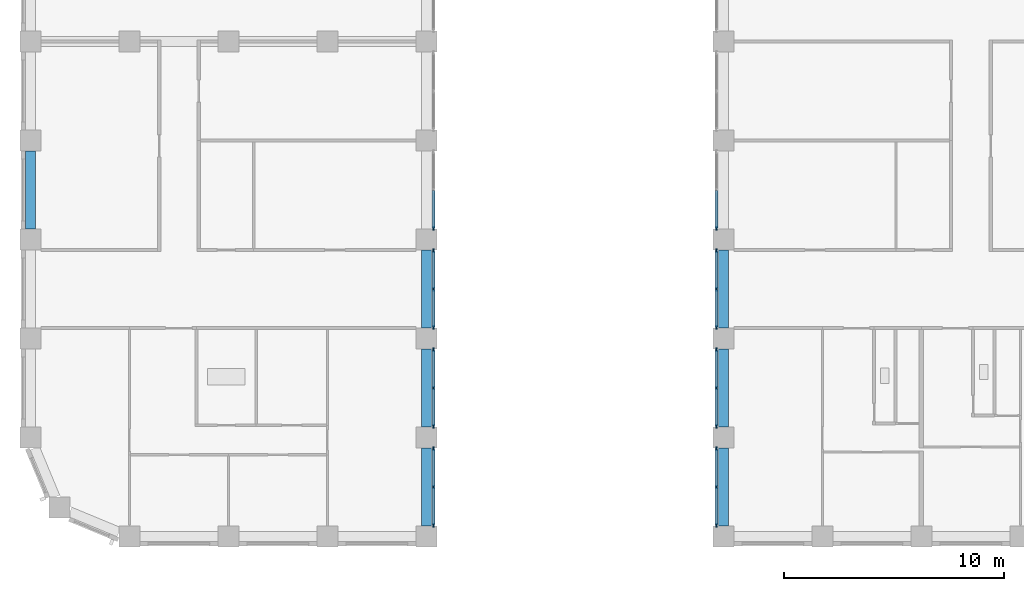
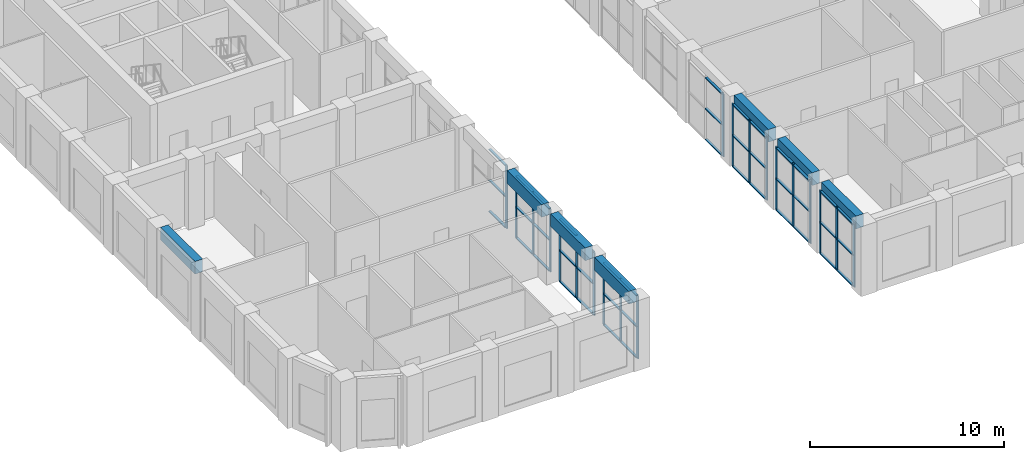
# One storey, part 2 of 19: 62 members, 7 beams, 8 elements without a shape of their own.
"""IFC4 building model written with IfcOpenShell, lengths in metres."""

from ifc_helpers import new_model, si_unit, direction, frame, origin, origin_2d, place, context, subcontext, project, spatial, rectangle, extrude, material, material_profile, profile_set, type_object, element, aggregate, save


model = new_model("IFC4")

# Units and contexts
model_context = context("Model", 3, precision=1e-05, world=origin(), true_north=direction((0.0, 1.0)))
body_context = subcontext(model_context, "Body", "Model", "MODEL_VIEW")
ifc_project = project(units=[si_unit("LENGTHUNIT", "METRE"), si_unit("AREAUNIT", "SQUARE_METRE"), si_unit("VOLUMEUNIT", "CUBIC_METRE"), si_unit("PLANEANGLEUNIT", "RADIAN"), si_unit("MASSUNIT", "GRAM", prefix="KILO")], contexts=[model_context])

# Site, building, storey
site_placement = place(None, origin())
site = spatial("IfcSite", under=ifc_project, at=site_placement, CompositionType="ELEMENT")
building_placement = place(site_placement, origin())
building = spatial("IfcBuilding", under=site, at=building_placement, Name="Girih Gate Residences", CompositionType="ELEMENT")
storey_placement = place(building_placement, frame((0.0, 0.0, 163.800048828125)))
storey = spatial("IfcBuildingStorey", under=building, at=storey_placement, Name="L45", CompositionType="ELEMENT", Elevation=163.800048828125)

# Curtain wall, members
ifc_material_1 = material(Name="Aluminium curtain wall frame", Category="aluminium")
curtain_wall_type = type_object("IfcCurtainWallType", Name="Curtain wall CW-7 portal lounge glazing", PredefinedType="NOTDEFINED", material=ifc_material_1)
curtain_wall_1_placement = place(storey_placement, origin())
curtain_wall_1 = element("IfcCurtainWall", 1, at=curtain_wall_1_placement, inside=storey, type_object=curtain_wall_type, Name="CW-7 Portal lounge glazing E0180_0000.0", PredefinedType="NOTDEFINED")
ifc_material_profile_1 = material_profile(ifc_material_1, rectangle(XDim=0.06005859375, YDim=0.179931640625, at=origin_2d()))
ifc_profile_set_1 = profile_set([ifc_material_profile_1], Name="Aluminium curtain wall frame")
member_type_1 = type_object("IfcMemberType", Name="Curtain wall mullion 60x180", PredefinedType="MULLION", material=ifc_profile_set_1)
member_1_placement = place(storey_placement, frame((18.31494140625, 0.5048828125, 0.0), z_axis=(0.0, 0.0, 1.0), x_axis=(-1.0, 0.0, 0.0)))
member_1 = element("IfcMember", 2, at=member_1_placement, type_object=member_type_1, Name="CW-7 mullion 1", PredefinedType="MULLION", context=body_context, shape_type="SweptSolid", body=[
    extrude(rectangle(XDim=0.06005859375, YDim=0.179931640625, at=origin_2d()), origin(), (0.0, 0.0, 1.0), 3.949951171875),
])
member_2_placement = place(storey_placement, frame((18.31494140625, 2.25, 0.0), z_axis=(0.0, 0.0, 1.0), x_axis=(-1.0, 0.0, 0.0)))
member_2 = element("IfcMember", 3, at=member_2_placement, type_object=member_type_1, Name="CW-7 mullion 2", PredefinedType="MULLION", context=body_context, shape_type="SweptSolid", body=[
    extrude(rectangle(XDim=0.06005859375, YDim=0.179931640625, at=origin_2d()), origin(), (0.0, 0.0, 1.0), 3.949951171875),
])
member_3_placement = place(storey_placement, frame((18.31494140625, 3.9951171875, 0.0), z_axis=(0.0, 0.0, 1.0), x_axis=(-1.0, 0.0, 0.0)))
member_3 = element("IfcMember", 4, at=member_3_placement, type_object=member_type_1, Name="CW-7 mullion 3", PredefinedType="MULLION", context=body_context, shape_type="SweptSolid", body=[
    extrude(rectangle(XDim=0.06005859375, YDim=0.179931640625, at=origin_2d()), origin(), (0.0, 0.0, 1.0), 3.949951171875),
])

curtain_wall_2_placement = place(storey_placement, origin())
curtain_wall_2 = element("IfcCurtainWall", 5, at=curtain_wall_2_placement, inside=storey, type_object=curtain_wall_type, Name="CW-7 Portal lounge glazing E0180_0000.1", PredefinedType="NOTDEFINED")
member_4_placement = place(storey_placement, frame((18.31494140625, 5.0048828125, 0.0), z_axis=(0.0, 0.0, 1.0), x_axis=(-1.0, 0.0, 0.0)))
member_4 = element("IfcMember", 6, at=member_4_placement, type_object=member_type_1, Name="CW-7 mullion 1", PredefinedType="MULLION", context=body_context, shape_type="SweptSolid", body=[
    extrude(rectangle(XDim=0.06005859375, YDim=0.179931640625, at=origin_2d()), origin(), (0.0, 0.0, 1.0), 3.949951171875),
])
member_5_placement = place(storey_placement, frame((18.31494140625, 6.75, 0.0), z_axis=(0.0, 0.0, 1.0), x_axis=(-1.0, 0.0, 0.0)))
member_5 = element("IfcMember", 7, at=member_5_placement, type_object=member_type_1, Name="CW-7 mullion 2", PredefinedType="MULLION", context=body_context, shape_type="SweptSolid", body=[
    extrude(rectangle(XDim=0.06005859375, YDim=0.179931640625, at=origin_2d()), origin(), (0.0, 0.0, 1.0), 3.949951171875),
])
member_6_placement = place(storey_placement, frame((18.31494140625, 8.4951171875, 0.0), z_axis=(0.0, 0.0, 1.0), x_axis=(-1.0, 0.0, 0.0)))
member_6 = element("IfcMember", 8, at=member_6_placement, type_object=member_type_1, Name="CW-7 mullion 3", PredefinedType="MULLION", context=body_context, shape_type="SweptSolid", body=[
    extrude(rectangle(XDim=0.06005859375, YDim=0.179931640625, at=origin_2d()), origin(), (0.0, 0.0, 1.0), 3.949951171875),
])

curtain_wall_3_placement = place(storey_placement, origin())
curtain_wall_3 = element("IfcCurtainWall", 9, at=curtain_wall_3_placement, inside=storey, type_object=curtain_wall_type, Name="CW-7 Portal lounge glazing E0180_0000.2", PredefinedType="NOTDEFINED")
member_7_placement = place(storey_placement, frame((18.31494140625, 9.5048828125, 0.0), z_axis=(0.0, 0.0, 1.0), x_axis=(-1.0, 0.0, 0.0)))
member_7 = element("IfcMember", 10, at=member_7_placement, type_object=member_type_1, Name="CW-7 mullion 1", PredefinedType="MULLION", context=body_context, shape_type="SweptSolid", body=[
    extrude(rectangle(XDim=0.06005859375, YDim=0.179931640625, at=origin_2d()), origin(), (0.0, 0.0, 1.0), 3.949951171875),
])
member_8_placement = place(storey_placement, frame((18.31494140625, 11.25, 0.0), z_axis=(0.0, 0.0, 1.0), x_axis=(-1.0, 0.0, 0.0)))
member_8 = element("IfcMember", 11, at=member_8_placement, type_object=member_type_1, Name="CW-7 mullion 2", PredefinedType="MULLION", context=body_context, shape_type="SweptSolid", body=[
    extrude(rectangle(XDim=0.06005859375, YDim=0.179931640625, at=origin_2d()), origin(), (0.0, 0.0, 1.0), 3.949951171875),
])
member_9_placement = place(storey_placement, frame((18.31494140625, 12.9951171875, 0.0), z_axis=(0.0, 0.0, 1.0), x_axis=(-1.0, 0.0, 0.0)))
member_9 = element("IfcMember", 12, at=member_9_placement, type_object=member_type_1, Name="CW-7 mullion 3", PredefinedType="MULLION", context=body_context, shape_type="SweptSolid", body=[
    extrude(rectangle(XDim=0.06005859375, YDim=0.179931640625, at=origin_2d()), origin(), (0.0, 0.0, 1.0), 3.949951171875),
])

# Curtain wall, member
curtain_wall_4_placement = place(storey_placement, origin())
curtain_wall_4 = element("IfcCurtainWall", 13, at=curtain_wall_4_placement, inside=storey, type_object=curtain_wall_type, Name="CW-7 Portal lounge glazing E0180_0000.3", PredefinedType="NOTDEFINED")
member_10_placement = place(storey_placement, frame((18.31494140625, 14.0048828125, 0.0), z_axis=(0.0, 0.0, 1.0), x_axis=(-1.0, 0.0, 0.0)))
member_10 = element("IfcMember", 14, at=member_10_placement, type_object=member_type_1, Name="CW-7 mullion 1", PredefinedType="MULLION", context=body_context, shape_type="SweptSolid", body=[
    extrude(rectangle(XDim=0.06005859375, YDim=0.179931640625, at=origin_2d()), origin(), (0.0, 0.0, 1.0), 3.949951171875),
])

curtain_wall_5_placement = place(storey_placement, origin())
curtain_wall_5 = element("IfcCurtainWall", 15, at=curtain_wall_5_placement, inside=storey, type_object=curtain_wall_type, Name="CW-7 Portal lounge glazing W0315_0495.7", PredefinedType="NOTDEFINED")
member_11_placement = place(storey_placement, frame((31.18505859375, 14.0048828125, 0.0), z_axis=(0.0, 0.0, 1.0), x_axis=(1.0, 0.0, 0.0)))
member_11 = element("IfcMember", 16, at=member_11_placement, type_object=member_type_1, Name="CW-7 mullion 3", PredefinedType="MULLION", context=body_context, shape_type="SweptSolid", body=[
    extrude(rectangle(XDim=0.06005859375, YDim=0.179931640625, at=origin_2d()), origin(), (0.0, 0.0, 1.0), 3.949951171875),
])

# Curtain wall, members
curtain_wall_6_placement = place(storey_placement, origin())
curtain_wall_6 = element("IfcCurtainWall", 17, at=curtain_wall_6_placement, inside=storey, type_object=curtain_wall_type, Name="CW-7 Portal lounge glazing W0315_0495.8", PredefinedType="NOTDEFINED")
member_12_placement = place(storey_placement, frame((31.18505859375, 12.9951171875, 0.0), z_axis=(0.0, 0.0, 1.0), x_axis=(1.0, 0.0, 0.0)))
member_12 = element("IfcMember", 18, at=member_12_placement, type_object=member_type_1, Name="CW-7 mullion 1", PredefinedType="MULLION", context=body_context, shape_type="SweptSolid", body=[
    extrude(rectangle(XDim=0.06005859375, YDim=0.179931640625, at=origin_2d()), origin(), (0.0, 0.0, 1.0), 3.949951171875),
])
member_13_placement = place(storey_placement, frame((31.18505859375, 11.25, 0.0), z_axis=(0.0, 0.0, 1.0), x_axis=(1.0, 0.0, 0.0)))
member_13 = element("IfcMember", 19, at=member_13_placement, type_object=member_type_1, Name="CW-7 mullion 2", PredefinedType="MULLION", context=body_context, shape_type="SweptSolid", body=[
    extrude(rectangle(XDim=0.06005859375, YDim=0.179931640625, at=origin_2d()), origin(), (0.0, 0.0, 1.0), 3.949951171875),
])
member_14_placement = place(storey_placement, frame((31.18505859375, 9.5048828125, 0.0), z_axis=(0.0, 0.0, 1.0), x_axis=(1.0, 0.0, 0.0)))
member_14 = element("IfcMember", 20, at=member_14_placement, type_object=member_type_1, Name="CW-7 mullion 3", PredefinedType="MULLION", context=body_context, shape_type="SweptSolid", body=[
    extrude(rectangle(XDim=0.06005859375, YDim=0.179931640625, at=origin_2d()), origin(), (0.0, 0.0, 1.0), 3.949951171875),
])

curtain_wall_7_placement = place(storey_placement, origin())
curtain_wall_7 = element("IfcCurtainWall", 21, at=curtain_wall_7_placement, inside=storey, type_object=curtain_wall_type, Name="CW-7 Portal lounge glazing W0315_0495.9", PredefinedType="NOTDEFINED")
member_15_placement = place(storey_placement, frame((31.18505859375, 8.4951171875, 0.0), z_axis=(0.0, 0.0, 1.0), x_axis=(1.0, 0.0, 0.0)))
member_15 = element("IfcMember", 22, at=member_15_placement, type_object=member_type_1, Name="CW-7 mullion 1", PredefinedType="MULLION", context=body_context, shape_type="SweptSolid", body=[
    extrude(rectangle(XDim=0.06005859375, YDim=0.179931640625, at=origin_2d()), origin(), (0.0, 0.0, 1.0), 3.949951171875),
])
member_16_placement = place(storey_placement, frame((31.18505859375, 6.75, 0.0), z_axis=(0.0, 0.0, 1.0), x_axis=(1.0, 0.0, 0.0)))
member_16 = element("IfcMember", 23, at=member_16_placement, type_object=member_type_1, Name="CW-7 mullion 2", PredefinedType="MULLION", context=body_context, shape_type="SweptSolid", body=[
    extrude(rectangle(XDim=0.06005859375, YDim=0.179931640625, at=origin_2d()), origin(), (0.0, 0.0, 1.0), 3.949951171875),
])
member_17_placement = place(storey_placement, frame((31.18505859375, 5.0048828125, 0.0), z_axis=(0.0, 0.0, 1.0), x_axis=(1.0, 0.0, 0.0)))
member_17 = element("IfcMember", 24, at=member_17_placement, type_object=member_type_1, Name="CW-7 mullion 3", PredefinedType="MULLION", context=body_context, shape_type="SweptSolid", body=[
    extrude(rectangle(XDim=0.06005859375, YDim=0.179931640625, at=origin_2d()), origin(), (0.0, 0.0, 1.0), 3.949951171875),
])

curtain_wall_8_placement = place(storey_placement, origin())
curtain_wall_8 = element("IfcCurtainWall", 25, at=curtain_wall_8_placement, inside=storey, type_object=curtain_wall_type, Name="CW-7 Portal lounge glazing W0315_0495.10", PredefinedType="NOTDEFINED")
member_18_placement = place(storey_placement, frame((31.18505859375, 3.9951171875, 0.0), z_axis=(0.0, 0.0, 1.0), x_axis=(1.0, 0.0, 0.0)))
member_18 = element("IfcMember", 26, at=member_18_placement, type_object=member_type_1, Name="CW-7 mullion 1", PredefinedType="MULLION", context=body_context, shape_type="SweptSolid", body=[
    extrude(rectangle(XDim=0.06005859375, YDim=0.179931640625, at=origin_2d()), origin(), (0.0, 0.0, 1.0), 3.949951171875),
])
member_19_placement = place(storey_placement, frame((31.18505859375, 2.25, 0.0), z_axis=(0.0, 0.0, 1.0), x_axis=(1.0, 0.0, 0.0)))
member_19 = element("IfcMember", 27, at=member_19_placement, type_object=member_type_1, Name="CW-7 mullion 2", PredefinedType="MULLION", context=body_context, shape_type="SweptSolid", body=[
    extrude(rectangle(XDim=0.06005859375, YDim=0.179931640625, at=origin_2d()), origin(), (0.0, 0.0, 1.0), 3.949951171875),
])
member_20_placement = place(storey_placement, frame((31.18505859375, 0.5048828125, 0.0), z_axis=(0.0, 0.0, 1.0), x_axis=(1.0, 0.0, 0.0)))
member_20 = element("IfcMember", 28, at=member_20_placement, type_object=member_type_1, Name="CW-7 mullion 3", PredefinedType="MULLION", context=body_context, shape_type="SweptSolid", body=[
    extrude(rectangle(XDim=0.06005859375, YDim=0.179931640625, at=origin_2d()), origin(), (0.0, 0.0, 1.0), 3.949951171875),
])

# Member
ifc_material_profile_2 = material_profile(ifc_material_1, rectangle(XDim=0.139892578125, YDim=0.06005859375, at=origin_2d()))
ifc_profile_set_2 = profile_set([ifc_material_profile_2], Name="Aluminium curtain wall frame")
member_type_2 = type_object("IfcMemberType", Name="Curtain wall transom 60x140", PredefinedType="USERDEFINED", material=ifc_profile_set_2)
member_21_placement = place(storey_placement, frame((18.31494140625, 0.534912109375, 0.030029296875), z_axis=(0.0, 1.0, 0.0), x_axis=(-1.0, 0.0, 0.0)))
member_21 = element("IfcMember", 29, at=member_21_placement, type_object=member_type_2, Name="CW-7 transom 1.1", ObjectType="TRANSOM", PredefinedType="USERDEFINED", context=body_context, shape_type="SweptSolid", body=[
    extrude(rectangle(XDim=0.139892578125, YDim=0.06005859375, at=origin_2d()), origin(), (0.0, 0.0, 1.0), 1.68505859375),
])

member_22_placement = place(storey_placement, frame((18.31494140625, 0.534912109375, 1.974853515625), z_axis=(0.0, 1.0, 0.0), x_axis=(-1.0, 0.0, 0.0)))
member_22 = element("IfcMember", 30, at=member_22_placement, type_object=member_type_2, Name="CW-7 transom 1.2", ObjectType="TRANSOM", PredefinedType="USERDEFINED", context=body_context, shape_type="SweptSolid", body=[
    extrude(rectangle(XDim=0.139892578125, YDim=0.06005859375, at=origin_2d()), origin(), (0.0, 0.0, 1.0), 1.68505859375),
])

member_23_placement = place(storey_placement, frame((18.31494140625, 0.534912109375, 3.919921875), z_axis=(0.0, 1.0, 0.0), x_axis=(-1.0, 0.0, 0.0)))
member_23 = element("IfcMember", 31, at=member_23_placement, type_object=member_type_2, Name="CW-7 transom 1.3", ObjectType="TRANSOM", PredefinedType="USERDEFINED", context=body_context, shape_type="SweptSolid", body=[
    extrude(rectangle(XDim=0.139892578125, YDim=0.06005859375, at=origin_2d()), origin(), (0.0, 0.0, 1.0), 1.68505859375),
])

member_24_placement = place(storey_placement, frame((18.31494140625, 2.280029296875, 0.030029296875), z_axis=(0.0, 1.0, 0.0), x_axis=(-1.0, 0.0, 0.0)))
member_24 = element("IfcMember", 32, at=member_24_placement, type_object=member_type_2, Name="CW-7 transom 2.1", ObjectType="TRANSOM", PredefinedType="USERDEFINED", context=body_context, shape_type="SweptSolid", body=[
    extrude(rectangle(XDim=0.139892578125, YDim=0.06005859375, at=origin_2d()), origin(), (0.0, 0.0, 1.0), 1.68505859375),
])

member_25_placement = place(storey_placement, frame((18.31494140625, 2.280029296875, 1.974853515625), z_axis=(0.0, 1.0, 0.0), x_axis=(-1.0, 0.0, 0.0)))
member_25 = element("IfcMember", 33, at=member_25_placement, type_object=member_type_2, Name="CW-7 transom 2.2", ObjectType="TRANSOM", PredefinedType="USERDEFINED", context=body_context, shape_type="SweptSolid", body=[
    extrude(rectangle(XDim=0.139892578125, YDim=0.06005859375, at=origin_2d()), origin(), (0.0, 0.0, 1.0), 1.68505859375),
])

member_26_placement = place(storey_placement, frame((18.31494140625, 2.280029296875, 3.919921875), z_axis=(0.0, 1.0, 0.0), x_axis=(-1.0, 0.0, 0.0)))
member_26 = element("IfcMember", 34, at=member_26_placement, type_object=member_type_2, Name="CW-7 transom 2.3", ObjectType="TRANSOM", PredefinedType="USERDEFINED", context=body_context, shape_type="SweptSolid", body=[
    extrude(rectangle(XDim=0.139892578125, YDim=0.06005859375, at=origin_2d()), origin(), (0.0, 0.0, 1.0), 1.68505859375),
])

aggregate(curtain_wall_1, [member_1, member_2, member_3, member_21, member_22, member_23, member_24, member_25, member_26])

member_27_placement = place(storey_placement, frame((18.31494140625, 5.034912109375, 0.030029296875), z_axis=(0.0, 1.0, 0.0), x_axis=(-1.0, 0.0, 0.0)))
member_27 = element("IfcMember", 35, at=member_27_placement, type_object=member_type_2, Name="CW-7 transom 1.1", ObjectType="TRANSOM", PredefinedType="USERDEFINED", context=body_context, shape_type="SweptSolid", body=[
    extrude(rectangle(XDim=0.139892578125, YDim=0.06005859375, at=origin_2d()), origin(), (0.0, 0.0, 1.0), 1.68505859375),
])

member_28_placement = place(storey_placement, frame((18.31494140625, 5.034912109375, 1.974853515625), z_axis=(0.0, 1.0, 0.0), x_axis=(-1.0, 0.0, 0.0)))
member_28 = element("IfcMember", 36, at=member_28_placement, type_object=member_type_2, Name="CW-7 transom 1.2", ObjectType="TRANSOM", PredefinedType="USERDEFINED", context=body_context, shape_type="SweptSolid", body=[
    extrude(rectangle(XDim=0.139892578125, YDim=0.06005859375, at=origin_2d()), origin(), (0.0, 0.0, 1.0), 1.68505859375),
])

member_29_placement = place(storey_placement, frame((18.31494140625, 5.034912109375, 3.919921875), z_axis=(0.0, 1.0, 0.0), x_axis=(-1.0, 0.0, 0.0)))
member_29 = element("IfcMember", 37, at=member_29_placement, type_object=member_type_2, Name="CW-7 transom 1.3", ObjectType="TRANSOM", PredefinedType="USERDEFINED", context=body_context, shape_type="SweptSolid", body=[
    extrude(rectangle(XDim=0.139892578125, YDim=0.06005859375, at=origin_2d()), origin(), (0.0, 0.0, 1.0), 1.68505859375),
])

member_30_placement = place(storey_placement, frame((18.31494140625, 6.780029296875, 0.030029296875), z_axis=(0.0, 1.0, 0.0), x_axis=(-1.0, 0.0, 0.0)))
member_30 = element("IfcMember", 38, at=member_30_placement, type_object=member_type_2, Name="CW-7 transom 2.1", ObjectType="TRANSOM", PredefinedType="USERDEFINED", context=body_context, shape_type="SweptSolid", body=[
    extrude(rectangle(XDim=0.139892578125, YDim=0.06005859375, at=origin_2d()), origin(), (0.0, 0.0, 1.0), 1.68505859375),
])

member_31_placement = place(storey_placement, frame((18.31494140625, 6.780029296875, 1.974853515625), z_axis=(0.0, 1.0, 0.0), x_axis=(-1.0, 0.0, 0.0)))
member_31 = element("IfcMember", 39, at=member_31_placement, type_object=member_type_2, Name="CW-7 transom 2.2", ObjectType="TRANSOM", PredefinedType="USERDEFINED", context=body_context, shape_type="SweptSolid", body=[
    extrude(rectangle(XDim=0.139892578125, YDim=0.06005859375, at=origin_2d()), origin(), (0.0, 0.0, 1.0), 1.68505859375),
])

member_32_placement = place(storey_placement, frame((18.31494140625, 6.780029296875, 3.919921875), z_axis=(0.0, 1.0, 0.0), x_axis=(-1.0, 0.0, 0.0)))
member_32 = element("IfcMember", 40, at=member_32_placement, type_object=member_type_2, Name="CW-7 transom 2.3", ObjectType="TRANSOM", PredefinedType="USERDEFINED", context=body_context, shape_type="SweptSolid", body=[
    extrude(rectangle(XDim=0.139892578125, YDim=0.06005859375, at=origin_2d()), origin(), (0.0, 0.0, 1.0), 1.68505859375),
])

aggregate(curtain_wall_2, [member_4, member_5, member_6, member_27, member_28, member_29, member_30, member_31, member_32])

member_33_placement = place(storey_placement, frame((18.31494140625, 9.534912109375, 0.030029296875), z_axis=(0.0, 1.0, 0.0), x_axis=(-1.0, 0.0, 0.0)))
member_33 = element("IfcMember", 41, at=member_33_placement, type_object=member_type_2, Name="CW-7 transom 1.1", ObjectType="TRANSOM", PredefinedType="USERDEFINED", context=body_context, shape_type="SweptSolid", body=[
    extrude(rectangle(XDim=0.139892578125, YDim=0.06005859375, at=origin_2d()), origin(), (0.0, 0.0, 1.0), 1.68505859375),
])

member_34_placement = place(storey_placement, frame((18.31494140625, 9.534912109375, 1.974853515625), z_axis=(0.0, 1.0, 0.0), x_axis=(-1.0, 0.0, 0.0)))
member_34 = element("IfcMember", 42, at=member_34_placement, type_object=member_type_2, Name="CW-7 transom 1.2", ObjectType="TRANSOM", PredefinedType="USERDEFINED", context=body_context, shape_type="SweptSolid", body=[
    extrude(rectangle(XDim=0.139892578125, YDim=0.06005859375, at=origin_2d()), origin(), (0.0, 0.0, 1.0), 1.68505859375),
])

member_35_placement = place(storey_placement, frame((18.31494140625, 9.534912109375, 3.919921875), z_axis=(0.0, 1.0, 0.0), x_axis=(-1.0, 0.0, 0.0)))
member_35 = element("IfcMember", 43, at=member_35_placement, type_object=member_type_2, Name="CW-7 transom 1.3", ObjectType="TRANSOM", PredefinedType="USERDEFINED", context=body_context, shape_type="SweptSolid", body=[
    extrude(rectangle(XDim=0.139892578125, YDim=0.06005859375, at=origin_2d()), origin(), (0.0, 0.0, 1.0), 1.68505859375),
])

member_36_placement = place(storey_placement, frame((18.31494140625, 11.280029296875, 0.030029296875), z_axis=(0.0, 1.0, 0.0), x_axis=(-1.0, 0.0, 0.0)))
member_36 = element("IfcMember", 44, at=member_36_placement, type_object=member_type_2, Name="CW-7 transom 2.1", ObjectType="TRANSOM", PredefinedType="USERDEFINED", context=body_context, shape_type="SweptSolid", body=[
    extrude(rectangle(XDim=0.139892578125, YDim=0.06005859375, at=origin_2d()), origin(), (0.0, 0.0, 1.0), 1.68505859375),
])

member_37_placement = place(storey_placement, frame((18.31494140625, 11.280029296875, 1.974853515625), z_axis=(0.0, 1.0, 0.0), x_axis=(-1.0, 0.0, 0.0)))
member_37 = element("IfcMember", 45, at=member_37_placement, type_object=member_type_2, Name="CW-7 transom 2.2", ObjectType="TRANSOM", PredefinedType="USERDEFINED", context=body_context, shape_type="SweptSolid", body=[
    extrude(rectangle(XDim=0.139892578125, YDim=0.06005859375, at=origin_2d()), origin(), (0.0, 0.0, 1.0), 1.68505859375),
])

member_38_placement = place(storey_placement, frame((18.31494140625, 11.280029296875, 3.919921875), z_axis=(0.0, 1.0, 0.0), x_axis=(-1.0, 0.0, 0.0)))
member_38 = element("IfcMember", 46, at=member_38_placement, type_object=member_type_2, Name="CW-7 transom 2.3", ObjectType="TRANSOM", PredefinedType="USERDEFINED", context=body_context, shape_type="SweptSolid", body=[
    extrude(rectangle(XDim=0.139892578125, YDim=0.06005859375, at=origin_2d()), origin(), (0.0, 0.0, 1.0), 1.68505859375),
])

aggregate(curtain_wall_3, [member_7, member_8, member_9, member_33, member_34, member_35, member_36, member_37, member_38])

member_39_placement = place(storey_placement, frame((18.31494140625, 14.034912109375, 0.030029296875), z_axis=(0.0, 1.0, 0.0), x_axis=(-1.0, 0.0, 0.0)))
member_39 = element("IfcMember", 47, at=member_39_placement, type_object=member_type_2, Name="CW-7 transom 1.1", ObjectType="TRANSOM", PredefinedType="USERDEFINED", context=body_context, shape_type="SweptSolid", body=[
    extrude(rectangle(XDim=0.139892578125, YDim=0.06005859375, at=origin_2d()), origin(), (0.0, 0.0, 1.0), 1.68505859375),
])

member_40_placement = place(storey_placement, frame((18.31494140625, 14.034912109375, 1.974853515625), z_axis=(0.0, 1.0, 0.0), x_axis=(-1.0, 0.0, 0.0)))
member_40 = element("IfcMember", 48, at=member_40_placement, type_object=member_type_2, Name="CW-7 transom 1.2", ObjectType="TRANSOM", PredefinedType="USERDEFINED", context=body_context, shape_type="SweptSolid", body=[
    extrude(rectangle(XDim=0.139892578125, YDim=0.06005859375, at=origin_2d()), origin(), (0.0, 0.0, 1.0), 1.68505859375),
])

member_41_placement = place(storey_placement, frame((18.31494140625, 14.034912109375, 3.919921875), z_axis=(0.0, 1.0, 0.0), x_axis=(-1.0, 0.0, 0.0)))
member_41 = element("IfcMember", 49, at=member_41_placement, type_object=member_type_2, Name="CW-7 transom 1.3", ObjectType="TRANSOM", PredefinedType="USERDEFINED", context=body_context, shape_type="SweptSolid", body=[
    extrude(rectangle(XDim=0.139892578125, YDim=0.06005859375, at=origin_2d()), origin(), (0.0, 0.0, 1.0), 1.68505859375),
])

aggregate(curtain_wall_4, [member_10, member_39, member_40, member_41])

member_42_placement = place(storey_placement, frame((31.18505859375, 15.719970703125, 0.030029296875), z_axis=(0.0, -1.0, 0.0), x_axis=(1.0, 0.0, 0.0)))
member_42 = element("IfcMember", 50, at=member_42_placement, type_object=member_type_2, Name="CW-7 transom 2.1", ObjectType="TRANSOM", PredefinedType="USERDEFINED", context=body_context, shape_type="SweptSolid", body=[
    extrude(rectangle(XDim=0.139892578125, YDim=0.06005859375, at=origin_2d()), origin(), (0.0, 0.0, 1.0), 1.68505859375),
])

member_43_placement = place(storey_placement, frame((31.18505859375, 15.719970703125, 1.974853515625), z_axis=(0.0, -1.0, 0.0), x_axis=(1.0, 0.0, 0.0)))
member_43 = element("IfcMember", 51, at=member_43_placement, type_object=member_type_2, Name="CW-7 transom 2.2", ObjectType="TRANSOM", PredefinedType="USERDEFINED", context=body_context, shape_type="SweptSolid", body=[
    extrude(rectangle(XDim=0.139892578125, YDim=0.06005859375, at=origin_2d()), origin(), (0.0, 0.0, 1.0), 1.68505859375),
])

member_44_placement = place(storey_placement, frame((31.18505859375, 15.719970703125, 3.919921875), z_axis=(0.0, -1.0, 0.0), x_axis=(1.0, 0.0, 0.0)))
member_44 = element("IfcMember", 52, at=member_44_placement, type_object=member_type_2, Name="CW-7 transom 2.3", ObjectType="TRANSOM", PredefinedType="USERDEFINED", context=body_context, shape_type="SweptSolid", body=[
    extrude(rectangle(XDim=0.139892578125, YDim=0.06005859375, at=origin_2d()), origin(), (0.0, 0.0, 1.0), 1.68505859375),
])

aggregate(curtain_wall_5, [member_11, member_42, member_43, member_44])

member_45_placement = place(storey_placement, frame((31.18505859375, 12.965087890625, 0.030029296875), z_axis=(0.0, -1.0, 0.0), x_axis=(1.0, 0.0, 0.0)))
member_45 = element("IfcMember", 53, at=member_45_placement, type_object=member_type_2, Name="CW-7 transom 1.1", ObjectType="TRANSOM", PredefinedType="USERDEFINED", context=body_context, shape_type="SweptSolid", body=[
    extrude(rectangle(XDim=0.139892578125, YDim=0.06005859375, at=origin_2d()), origin(), (0.0, 0.0, 1.0), 1.68505859375),
])

member_46_placement = place(storey_placement, frame((31.18505859375, 12.965087890625, 1.974853515625), z_axis=(0.0, -1.0, 0.0), x_axis=(1.0, 0.0, 0.0)))
member_46 = element("IfcMember", 54, at=member_46_placement, type_object=member_type_2, Name="CW-7 transom 1.2", ObjectType="TRANSOM", PredefinedType="USERDEFINED", context=body_context, shape_type="SweptSolid", body=[
    extrude(rectangle(XDim=0.139892578125, YDim=0.06005859375, at=origin_2d()), origin(), (0.0, 0.0, 1.0), 1.68505859375),
])

member_47_placement = place(storey_placement, frame((31.18505859375, 12.965087890625, 3.919921875), z_axis=(0.0, -1.0, 0.0), x_axis=(1.0, 0.0, 0.0)))
member_47 = element("IfcMember", 55, at=member_47_placement, type_object=member_type_2, Name="CW-7 transom 1.3", ObjectType="TRANSOM", PredefinedType="USERDEFINED", context=body_context, shape_type="SweptSolid", body=[
    extrude(rectangle(XDim=0.139892578125, YDim=0.06005859375, at=origin_2d()), origin(), (0.0, 0.0, 1.0), 1.68505859375),
])

member_48_placement = place(storey_placement, frame((31.18505859375, 11.219970703125, 0.030029296875), z_axis=(0.0, -1.0, 0.0), x_axis=(1.0, 0.0, 0.0)))
member_48 = element("IfcMember", 56, at=member_48_placement, type_object=member_type_2, Name="CW-7 transom 2.1", ObjectType="TRANSOM", PredefinedType="USERDEFINED", context=body_context, shape_type="SweptSolid", body=[
    extrude(rectangle(XDim=0.139892578125, YDim=0.06005859375, at=origin_2d()), origin(), (0.0, 0.0, 1.0), 1.68505859375),
])

member_49_placement = place(storey_placement, frame((31.18505859375, 11.219970703125, 1.974853515625), z_axis=(0.0, -1.0, 0.0), x_axis=(1.0, 0.0, 0.0)))
member_49 = element("IfcMember", 57, at=member_49_placement, type_object=member_type_2, Name="CW-7 transom 2.2", ObjectType="TRANSOM", PredefinedType="USERDEFINED", context=body_context, shape_type="SweptSolid", body=[
    extrude(rectangle(XDim=0.139892578125, YDim=0.06005859375, at=origin_2d()), origin(), (0.0, 0.0, 1.0), 1.68505859375),
])

member_50_placement = place(storey_placement, frame((31.18505859375, 11.219970703125, 3.919921875), z_axis=(0.0, -1.0, 0.0), x_axis=(1.0, 0.0, 0.0)))
member_50 = element("IfcMember", 58, at=member_50_placement, type_object=member_type_2, Name="CW-7 transom 2.3", ObjectType="TRANSOM", PredefinedType="USERDEFINED", context=body_context, shape_type="SweptSolid", body=[
    extrude(rectangle(XDim=0.139892578125, YDim=0.06005859375, at=origin_2d()), origin(), (0.0, 0.0, 1.0), 1.68505859375),
])

aggregate(curtain_wall_6, [member_12, member_13, member_14, member_45, member_46, member_47, member_48, member_49, member_50])

member_51_placement = place(storey_placement, frame((31.18505859375, 8.465087890625, 0.030029296875), z_axis=(0.0, -1.0, 0.0), x_axis=(1.0, 0.0, 0.0)))
member_51 = element("IfcMember", 59, at=member_51_placement, type_object=member_type_2, Name="CW-7 transom 1.1", ObjectType="TRANSOM", PredefinedType="USERDEFINED", context=body_context, shape_type="SweptSolid", body=[
    extrude(rectangle(XDim=0.139892578125, YDim=0.06005859375, at=origin_2d()), origin(), (0.0, 0.0, 1.0), 1.68505859375),
])

member_52_placement = place(storey_placement, frame((31.18505859375, 8.465087890625, 1.974853515625), z_axis=(0.0, -1.0, 0.0), x_axis=(1.0, 0.0, 0.0)))
member_52 = element("IfcMember", 60, at=member_52_placement, type_object=member_type_2, Name="CW-7 transom 1.2", ObjectType="TRANSOM", PredefinedType="USERDEFINED", context=body_context, shape_type="SweptSolid", body=[
    extrude(rectangle(XDim=0.139892578125, YDim=0.06005859375, at=origin_2d()), origin(), (0.0, 0.0, 1.0), 1.68505859375),
])

member_53_placement = place(storey_placement, frame((31.18505859375, 8.465087890625, 3.919921875), z_axis=(0.0, -1.0, 0.0), x_axis=(1.0, 0.0, 0.0)))
member_53 = element("IfcMember", 61, at=member_53_placement, type_object=member_type_2, Name="CW-7 transom 1.3", ObjectType="TRANSOM", PredefinedType="USERDEFINED", context=body_context, shape_type="SweptSolid", body=[
    extrude(rectangle(XDim=0.139892578125, YDim=0.06005859375, at=origin_2d()), origin(), (0.0, 0.0, 1.0), 1.68505859375),
])

member_54_placement = place(storey_placement, frame((31.18505859375, 6.719970703125, 0.030029296875), z_axis=(0.0, -1.0, 0.0), x_axis=(1.0, 0.0, 0.0)))
member_54 = element("IfcMember", 62, at=member_54_placement, type_object=member_type_2, Name="CW-7 transom 2.1", ObjectType="TRANSOM", PredefinedType="USERDEFINED", context=body_context, shape_type="SweptSolid", body=[
    extrude(rectangle(XDim=0.139892578125, YDim=0.06005859375, at=origin_2d()), origin(), (0.0, 0.0, 1.0), 1.68505859375),
])

member_55_placement = place(storey_placement, frame((31.18505859375, 6.719970703125, 1.974853515625), z_axis=(0.0, -1.0, 0.0), x_axis=(1.0, 0.0, 0.0)))
member_55 = element("IfcMember", 63, at=member_55_placement, type_object=member_type_2, Name="CW-7 transom 2.2", ObjectType="TRANSOM", PredefinedType="USERDEFINED", context=body_context, shape_type="SweptSolid", body=[
    extrude(rectangle(XDim=0.139892578125, YDim=0.06005859375, at=origin_2d()), origin(), (0.0, 0.0, 1.0), 1.68505859375),
])

member_56_placement = place(storey_placement, frame((31.18505859375, 6.719970703125, 3.919921875), z_axis=(0.0, -1.0, 0.0), x_axis=(1.0, 0.0, 0.0)))
member_56 = element("IfcMember", 64, at=member_56_placement, type_object=member_type_2, Name="CW-7 transom 2.3", ObjectType="TRANSOM", PredefinedType="USERDEFINED", context=body_context, shape_type="SweptSolid", body=[
    extrude(rectangle(XDim=0.139892578125, YDim=0.06005859375, at=origin_2d()), origin(), (0.0, 0.0, 1.0), 1.68505859375),
])

aggregate(curtain_wall_7, [member_15, member_16, member_17, member_51, member_52, member_53, member_54, member_55, member_56])

member_57_placement = place(storey_placement, frame((31.18505859375, 3.965087890625, 0.030029296875), z_axis=(0.0, -1.0, 0.0), x_axis=(1.0, 0.0, 0.0)))
member_57 = element("IfcMember", 65, at=member_57_placement, type_object=member_type_2, Name="CW-7 transom 1.1", ObjectType="TRANSOM", PredefinedType="USERDEFINED", context=body_context, shape_type="SweptSolid", body=[
    extrude(rectangle(XDim=0.139892578125, YDim=0.06005859375, at=origin_2d()), origin(), (0.0, 0.0, 1.0), 1.68505859375),
])

member_58_placement = place(storey_placement, frame((31.18505859375, 3.965087890625, 1.974853515625), z_axis=(0.0, -1.0, 0.0), x_axis=(1.0, 0.0, 0.0)))
member_58 = element("IfcMember", 66, at=member_58_placement, type_object=member_type_2, Name="CW-7 transom 1.2", ObjectType="TRANSOM", PredefinedType="USERDEFINED", context=body_context, shape_type="SweptSolid", body=[
    extrude(rectangle(XDim=0.139892578125, YDim=0.06005859375, at=origin_2d()), origin(), (0.0, 0.0, 1.0), 1.68505859375),
])

member_59_placement = place(storey_placement, frame((31.18505859375, 3.965087890625, 3.919921875), z_axis=(0.0, -1.0, 0.0), x_axis=(1.0, 0.0, 0.0)))
member_59 = element("IfcMember", 67, at=member_59_placement, type_object=member_type_2, Name="CW-7 transom 1.3", ObjectType="TRANSOM", PredefinedType="USERDEFINED", context=body_context, shape_type="SweptSolid", body=[
    extrude(rectangle(XDim=0.139892578125, YDim=0.06005859375, at=origin_2d()), origin(), (0.0, 0.0, 1.0), 1.68505859375),
])

member_60_placement = place(storey_placement, frame((31.18505859375, 2.219970703125, 0.030029296875), z_axis=(0.0, -1.0, 0.0), x_axis=(1.0, 0.0, 0.0)))
member_60 = element("IfcMember", 68, at=member_60_placement, type_object=member_type_2, Name="CW-7 transom 2.1", ObjectType="TRANSOM", PredefinedType="USERDEFINED", context=body_context, shape_type="SweptSolid", body=[
    extrude(rectangle(XDim=0.139892578125, YDim=0.06005859375, at=origin_2d()), origin(), (0.0, 0.0, 1.0), 1.68505859375),
])

member_61_placement = place(storey_placement, frame((31.18505859375, 2.219970703125, 1.974853515625), z_axis=(0.0, -1.0, 0.0), x_axis=(1.0, 0.0, 0.0)))
member_61 = element("IfcMember", 69, at=member_61_placement, type_object=member_type_2, Name="CW-7 transom 2.2", ObjectType="TRANSOM", PredefinedType="USERDEFINED", context=body_context, shape_type="SweptSolid", body=[
    extrude(rectangle(XDim=0.139892578125, YDim=0.06005859375, at=origin_2d()), origin(), (0.0, 0.0, 1.0), 1.68505859375),
])

member_62_placement = place(storey_placement, frame((31.18505859375, 2.219970703125, 3.919921875), z_axis=(0.0, -1.0, 0.0), x_axis=(1.0, 0.0, 0.0)))
member_62 = element("IfcMember", 70, at=member_62_placement, type_object=member_type_2, Name="CW-7 transom 2.3", ObjectType="TRANSOM", PredefinedType="USERDEFINED", context=body_context, shape_type="SweptSolid", body=[
    extrude(rectangle(XDim=0.139892578125, YDim=0.06005859375, at=origin_2d()), origin(), (0.0, 0.0, 1.0), 1.68505859375),
])

aggregate(curtain_wall_8, [member_18, member_19, member_20, member_57, member_58, member_59, member_60, member_61, member_62])

# Beams
ifc_material_2 = material(Name="Concrete C60/75", Category="concrete")
ifc_material_profile_3 = material_profile(ifc_material_2, rectangle(XDim=0.449951171875, YDim=0.800048828125, at=origin_2d()))
ifc_profile_set_3 = profile_set([ifc_material_profile_3], Name="Concrete C60/75")
beam_type = type_object("IfcBeamType", Name="Spandrel girder RC 450x800 Concrete C60/75", PredefinedType="BEAM", material=ifc_profile_set_3)
for number, where, z_axis, x_axis, name in (
    (71, (0.0, 17.52490234375, 4.0), (0.0, -1.0, 0.0), (1.0, 0.0, 0.0), "Spandrel girder SP-P1E-P1D L45"),
    (72, (18.0, 0.47509765625, 4.0), (0.0, 1.0, 0.0), (-1.0, 0.0, 0.0), "Spandrel girder SP-P5A-P5B L45"),
    (73, (18.0, 4.97509765625, 4.0), (0.0, 1.0, 0.0), (-1.0, 0.0, 0.0), "Spandrel girder SP-P5B-P5C L45"),
    (74, (18.0, 9.47509765625, 4.0), (0.0, 1.0, 0.0), (-1.0, 0.0, 0.0), "Spandrel girder SP-P5C-P5D L45"),
    (75, (31.5, 13.02490234375, 4.0), (0.0, -1.0, 0.0), (1.0, 0.0, 0.0), "Spandrel girder SP-P8D-P8C L45"),
    (76, (31.5, 8.52490234375, 4.0), (0.0, -1.0, 0.0), (1.0, 0.0, 0.0), "Spandrel girder SP-P8C-P8B L45"),
    (77, (31.5, 4.02490234375, 4.0), (0.0, -1.0, 0.0), (1.0, 0.0, 0.0), "Spandrel girder SP-P8B-P8A L45"),
):
    element("IfcBeam", number, at=place(storey_placement, frame(where, z_axis=z_axis, x_axis=x_axis)), inside=storey, type_object=beam_type, Name=name, PredefinedType="BEAM", context=body_context, shape_type="SweptSolid", body=[
        extrude(rectangle(XDim=0.449951171875, YDim=0.800048828125, at=origin_2d()), origin(), (0.0, 0.0, 1.0), 3.5498046875),
    ])

save(model, "model.ifc")
